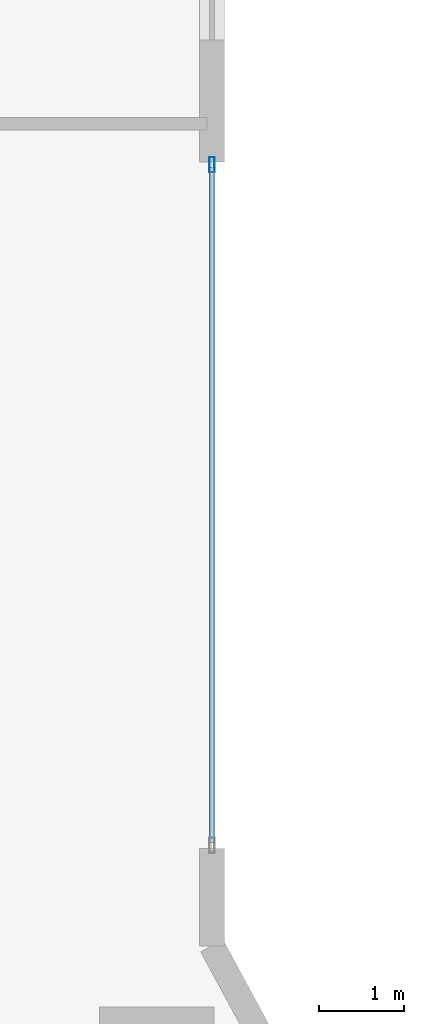
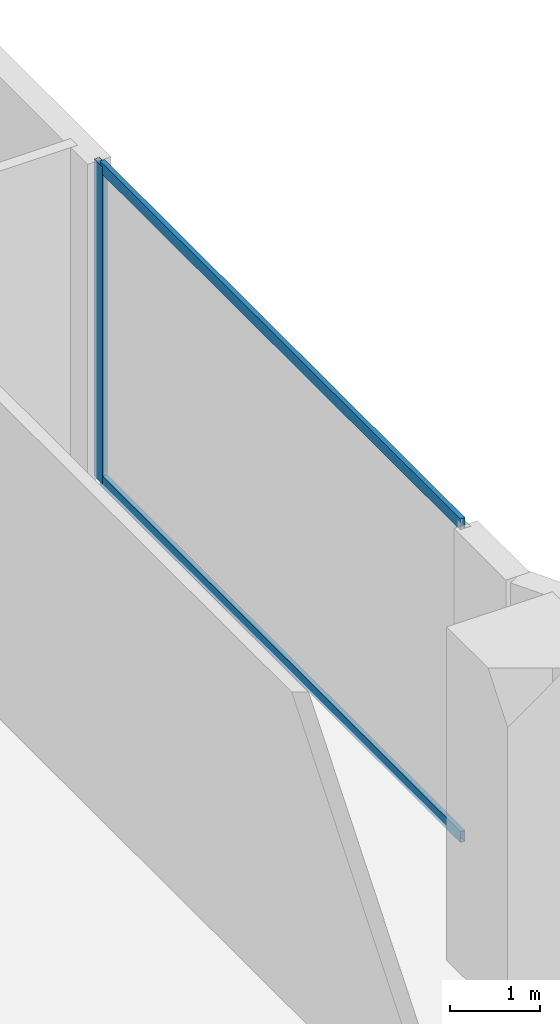
# One storey, part 23 of 33: 3 members, 1 element without a shape of its own.
"""IFC4 building model written with IfcOpenShell, lengths in metres."""

from ifc_helpers import new_model, si_unit, direction, frame, origin, origin_2d, place, context, subcontext, project, spatial, hollow_rectangle, extrude, material, layer, layer_set, material_profile, profile_set, type_object, element, aggregate, save


model = new_model("IFC4")

# Units and contexts
model_context = context("Model", 3, precision=1e-05, world=origin(), true_north=direction((0.0, 1.0)))
body_context = subcontext(model_context, "Body", "Model", "MODEL_VIEW")
ifc_project = project(units=[si_unit("LENGTHUNIT", "METRE"), si_unit("AREAUNIT", "SQUARE_METRE"), si_unit("VOLUMEUNIT", "CUBIC_METRE"), si_unit("PLANEANGLEUNIT", "RADIAN"), si_unit("MASSUNIT", "GRAM", prefix="KILO")], contexts=[model_context])

# Site, building, storey
site_placement = place(None, origin())
site = spatial("IfcSite", under=ifc_project, at=site_placement, CompositionType="ELEMENT")
building_placement = place(site_placement, origin())
building = spatial("IfcBuilding", under=site, at=building_placement, Name="Zuhayl Quay Hotel", CompositionType="ELEMENT")
storey_placement = place(building_placement, frame((0.0, 0.0, 154.050048828125)))
storey = spatial("IfcBuildingStorey", under=building, at=storey_placement, Name="L39", CompositionType="ELEMENT", Elevation=154.050048828125)

# Curtain wall, members
ifc_material_1 = material(Name="Anodised Aluminium 6063-T6", Category="aluminium")
ifc_layer = layer(ifc_material_1, 0.179931640625, Name="Anodised Aluminium 6063-T6", Category="aluminium")
ifc_layer_set = layer_set([ifc_layer], Name="Anodised Aluminium 6063-T6")
curtain_wall_type = type_object("IfcCurtainWallType", Name="CW_SYS_Z2", PredefinedType="USERDEFINED", material=ifc_layer_set)
curtain_wall_placement = place(storey_placement, origin())
curtain_wall = element("IfcCurtainWall", 1, at=curtain_wall_placement, inside=storey, type_object=curtain_wall_type, Name="L39 Curtain Wall ENV_L39_E11_CW1", ObjectType="UNITISED CURTAIN WALL", PredefinedType="USERDEFINED")
ifc_material_2 = material(Name="Black-anodised aluminium 6063-T6", Category="aluminium")
ifc_material_profile_1 = material_profile(ifc_material_2, hollow_rectangle(XDim=0.06494140625, YDim=0.179931640625, WallThickness=0.00341796875, at=origin_2d()), Name="ALU180X65")
ifc_profile_set_1 = profile_set([ifc_material_profile_1], Name="Black-anodised aluminium 6063-T6")
member_type_1 = type_object("IfcMemberType", Name="MB_CW_MUL_180", PredefinedType="MULLION", material=ifc_profile_set_1)
member_1_placement = place(storey_placement, frame((23.89990234375, 20.717529296875, 0.0), z_axis=(0.0, 0.0, 1.0), x_axis=(1.0, 0.0, 0.0)))
member_1 = element("IfcMember", 2, at=member_1_placement, type_object=member_type_1, Name="CW-Z2 mullion 1", PredefinedType="MULLION", context=body_context, shape_type="SweptSolid", body=[
    extrude(hollow_rectangle(XDim=0.06494140625, YDim=0.179931640625, WallThickness=0.00341796875, at=origin_2d()), origin(), (0.0, 0.0, 1.0), 4.280029296875),
])
ifc_material_profile_2 = material_profile(ifc_material_2, hollow_rectangle(XDim=0.06005859375, YDim=0.14990234375, WallThickness=0.00341796875, at=origin_2d()), Name="ALU150X60")
ifc_profile_set_2 = profile_set([ifc_material_profile_2], Name="Black-anodised aluminium 6063-T6")
member_type_2 = type_object("IfcMemberType", Name="MB_CW_TRN_150", PredefinedType="USERDEFINED", material=ifc_profile_set_2)
member_2_placement = place(storey_placement, frame((23.89990234375, 20.68505859375, 0.030029296875), z_axis=(0.0, -1.0, 0.0), x_axis=(1.0, 0.0, 0.0)))
member_2 = element("IfcMember", 3, at=member_2_placement, type_object=member_type_2, Name="CW-Z2 transom 1.1", ObjectType="TRANSOM", PredefinedType="USERDEFINED", context=body_context, shape_type="SweptSolid", body=[
    extrude(hollow_rectangle(XDim=0.06005859375, YDim=0.14990234375, WallThickness=0.00341796875, at=origin_2d()), origin(), (0.0, 0.0, 1.0), 7.969970703125),
])
member_3_placement = place(storey_placement, frame((23.89990234375, 20.68505859375, 4.25), z_axis=(0.0, -1.0, 0.0), x_axis=(1.0, 0.0, 0.0)))
member_3 = element("IfcMember", 4, at=member_3_placement, type_object=member_type_2, Name="CW-Z2 transom 1.2", ObjectType="TRANSOM", PredefinedType="USERDEFINED", context=body_context, shape_type="SweptSolid", body=[
    extrude(hollow_rectangle(XDim=0.06005859375, YDim=0.14990234375, WallThickness=0.00341796875, at=origin_2d()), origin(), (0.0, 0.0, 1.0), 7.969970703125),
])
aggregate(curtain_wall, [member_1, member_2, member_3])

save(model, "model.ifc")
